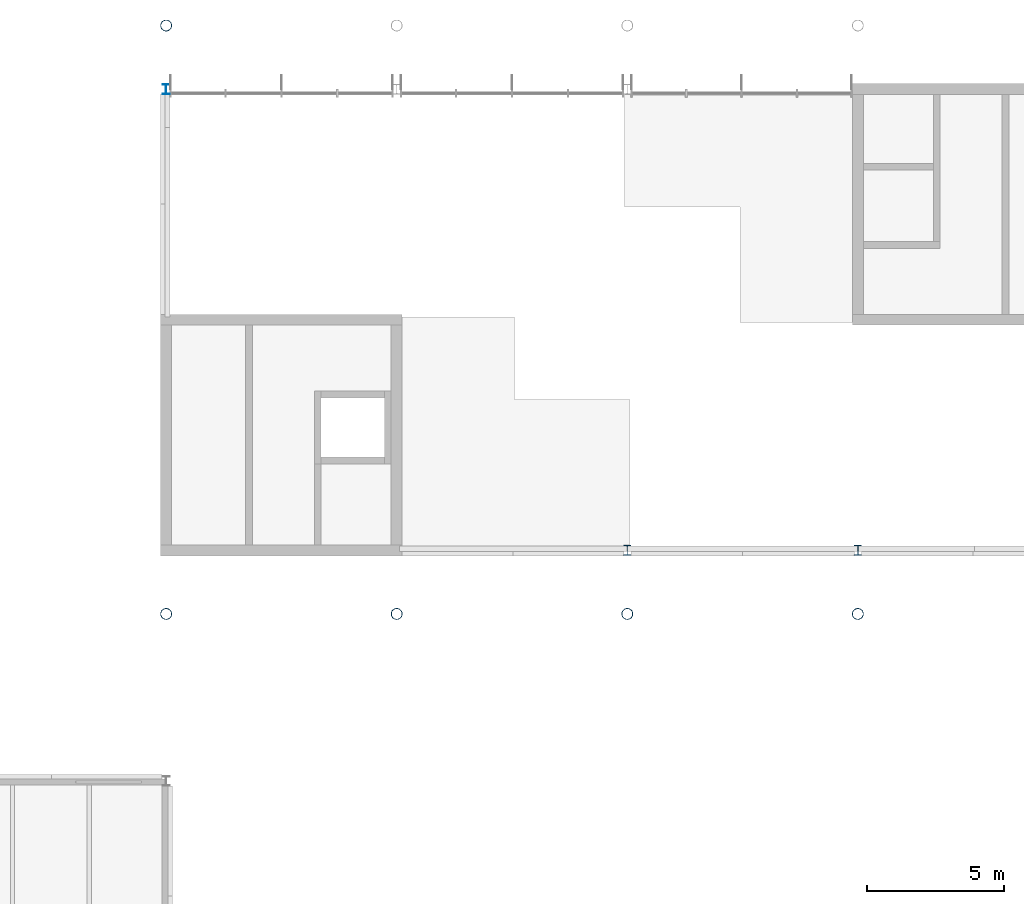
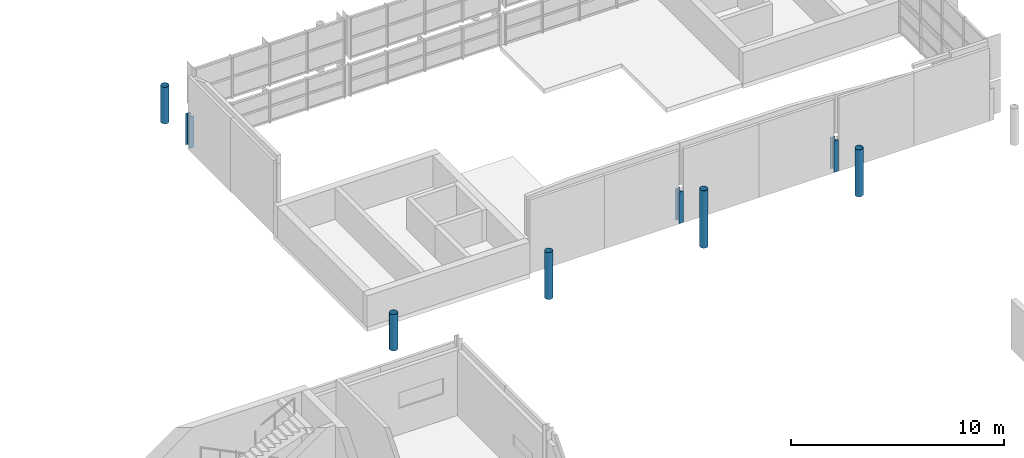
# One storey, part 7 of 72: 8 columns.
"""IFC4 building model written with IfcOpenShell, lengths in metres."""

from ifc_helpers import new_model, si_unit, direction, frame, origin, origin_2d, place, context, subcontext, project, spatial, hollow_circle, i_section, extrude, material, material_profile, profile_set, type_object, element, save


model = new_model("IFC4")

# Units and contexts
model_context = context("Model", 3, precision=1e-05, world=origin(), true_north=direction((0.0, 1.0)))
body_context = subcontext(model_context, "Body", "Model", "MODEL_VIEW")
ifc_project = project(units=[si_unit("LENGTHUNIT", "METRE"), si_unit("AREAUNIT", "SQUARE_METRE"), si_unit("VOLUMEUNIT", "CUBIC_METRE"), si_unit("PLANEANGLEUNIT", "RADIAN"), si_unit("MASSUNIT", "GRAM", prefix="KILO")], contexts=[model_context])

# Site, building, storey
site_placement = place(None, origin())
site = spatial("IfcSite", under=ifc_project, at=site_placement, CompositionType="ELEMENT")
building_placement = place(site_placement, origin())
building = spatial("IfcBuilding", under=site, at=building_placement, Name="Hlaing Beacon Police Headquarters", CompositionType="ELEMENT")
storey_placement = place(building_placement, frame((0.0, 0.0, 14.39990234375)))
storey = spatial("IfcBuildingStorey", under=building, at=storey_placement, Name="L03", CompositionType="ELEMENT", Elevation=14.39990234375)

# Columns
ifc_material_1 = material(Name="Steel ASTM A500 Grade C", Category="steel")
ifc_material_profile_1 = material_profile(ifc_material_1, hollow_circle(Radius=0.203125, WallThickness=0.0126953125, at=origin_2d()), Name="HSS16.000x0.500")
ifc_profile_set_1 = profile_set([ifc_material_profile_1], Name="Steel ASTM A500 Grade C")
column_type_1 = type_object("IfcColumnType", Name="Eave edge post HSS16.000x0.500", PredefinedType="COLUMN", material=ifc_profile_set_1)
for number, where, z_axis, x_axis, name in (
    (1, (33.60009765625, 94.71728515625, 0.0), (0.0, 0.0, 1.0), (1.0, 0.0, 0.0), "STR-RT-V2-EEP-N0336-L03"),
    (2, (33.60009765625, 73.28271484375, 0.0), (0.0, 0.0, 1.0), (1.0, 0.0, 0.0), "STR-RT-V2-EEP-S0336-L03"),
):
    element("IfcColumn", number, at=place(storey_placement, frame(where, z_axis=z_axis, x_axis=x_axis)), inside=storey, type_object=column_type_1, Name=name, PredefinedType="COLUMN", context=body_context, shape_type="SweptSolid", body=[
        extrude(hollow_circle(Radius=0.203125, WallThickness=0.0126953125, at=origin_2d()), origin(), (0.0, 0.0, 1.0), 2.085205078125),
    ])
column_1_placement = place(storey_placement, frame((42.0, 73.28271484375, 0.0), z_axis=(0.0, 0.0, 1.0), x_axis=(1.0, 0.0, 0.0)))
element("IfcColumn", 3, at=column_1_placement, inside=storey, type_object=column_type_1, Name="STR-RT-V2-EEP-S0420-L03", PredefinedType="COLUMN", context=body_context, shape_type="SweptSolid", body=[
    extrude(hollow_circle(Radius=0.203125, WallThickness=0.0126953125, at=origin_2d()), origin(), (0.0, 0.0, 1.0), 2.68505859375),
])
column_2_placement = place(storey_placement, frame((50.39990234375, 73.28271484375, 0.0), z_axis=(0.0, 0.0, 1.0), x_axis=(1.0, 0.0, 0.0)))
element("IfcColumn", 4, at=column_2_placement, inside=storey, type_object=column_type_1, Name="STR-RT-V2-EEP-S0504-L03", PredefinedType="COLUMN", context=body_context, shape_type="SweptSolid", body=[
    extrude(hollow_circle(Radius=0.203125, WallThickness=0.0126953125, at=origin_2d()), origin(), (0.0, 0.0, 1.0), 3.28515625),
])
column_3_placement = place(storey_placement, frame((58.800048828125, 73.28271484375, 0.0), z_axis=(0.0, 0.0, 1.0), x_axis=(1.0, 0.0, 0.0)))
element("IfcColumn", 5, at=column_3_placement, inside=storey, type_object=column_type_1, Name="STR-RT-V2-EEP-S0588-L03", PredefinedType="COLUMN", context=body_context, shape_type="SweptSolid", body=[
    extrude(hollow_circle(Radius=0.203125, WallThickness=0.0126953125, at=origin_2d()), origin(), (0.0, 0.0, 1.0), 2.68505859375),
])
ifc_material_2 = material(Name="Steel ASTM A992 Grade 50", Category="steel")
ifc_material_profile_2 = material_profile(ifc_material_2, i_section(OverallWidth=0.25390625, OverallDepth=0.355712890625, WebThickness=0.010498046875, FlangeThickness=0.018310546875, FilletRadius=0.014892578125, at=origin_2d()), Name="W14x68")
ifc_profile_set_2 = profile_set([ifc_material_profile_2], Name="Steel ASTM A992 Grade 50")
column_type_2 = type_object("IfcColumnType", Name="Steel column W14x68", PredefinedType="COLUMN", material=ifc_profile_set_2)
column_4_placement = place(storey_placement, frame((33.60009765625, 92.39990234375, 0.0), z_axis=(0.0, 0.0, 1.0), x_axis=(1.0, 0.0, 0.0)))
element("IfcColumn", 6, at=column_4_placement, inside=storey, type_object=column_type_2, Name="STR-COL-L03-E12", PredefinedType="COLUMN", context=body_context, shape_type="SweptSolid", body=[
    extrude(i_section(OverallWidth=0.25390625, OverallDepth=0.355712890625, WebThickness=0.010498046875, FlangeThickness=0.018310546875, FilletRadius=0.014892578125, at=origin_2d()), origin(), (0.0, 0.0, 1.0), 1.800048828125),
])
ifc_material_3 = material(Name="Steel ASTM A992 Grade 50", Category="steel")
ifc_material_profile_3 = material_profile(ifc_material_3, i_section(OverallWidth=0.256591796875, OverallDepth=0.36328125, WebThickness=0.012939453125, FlangeThickness=0.021728515625, FilletRadius=0.01513671875, at=origin_2d()), Name="W14x82")
ifc_profile_set_3 = profile_set([ifc_material_profile_3], Name="Steel ASTM A992 Grade 50")
column_type_3 = type_object("IfcColumnType", Name="Steel column W14x82", PredefinedType="COLUMN", material=ifc_profile_set_3)
for number, where, z_axis, x_axis, name in (
    (7, (50.39990234375, 75.60009765625, 0.0), (0.0, 0.0, 1.0), (1.0, 0.0, 0.0), "STR-COL-L03-G10"),
    (8, (58.800048828125, 75.60009765625, 0.0), (0.0, 0.0, 1.0), (1.0, 0.0, 0.0), "STR-COL-L03-H10"),
):
    element("IfcColumn", number, at=place(storey_placement, frame(where, z_axis=z_axis, x_axis=x_axis)), inside=storey, type_object=column_type_3, Name=name, PredefinedType="COLUMN", context=body_context, shape_type="SweptSolid", body=[
        extrude(i_section(OverallWidth=0.256591796875, OverallDepth=0.36328125, WebThickness=0.012939453125, FlangeThickness=0.021728515625, FilletRadius=0.01513671875, at=origin_2d()), origin(), (0.0, 0.0, 1.0), 1.800048828125),
    ])

save(model, "model.ifc")
